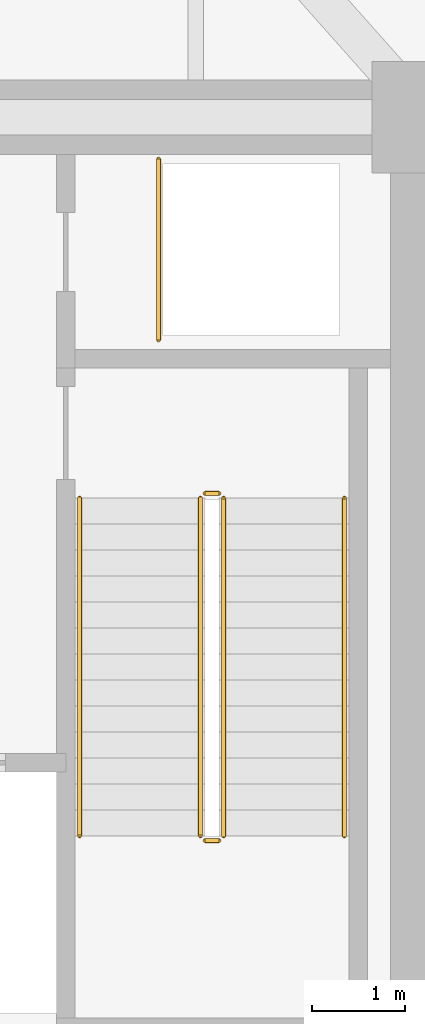
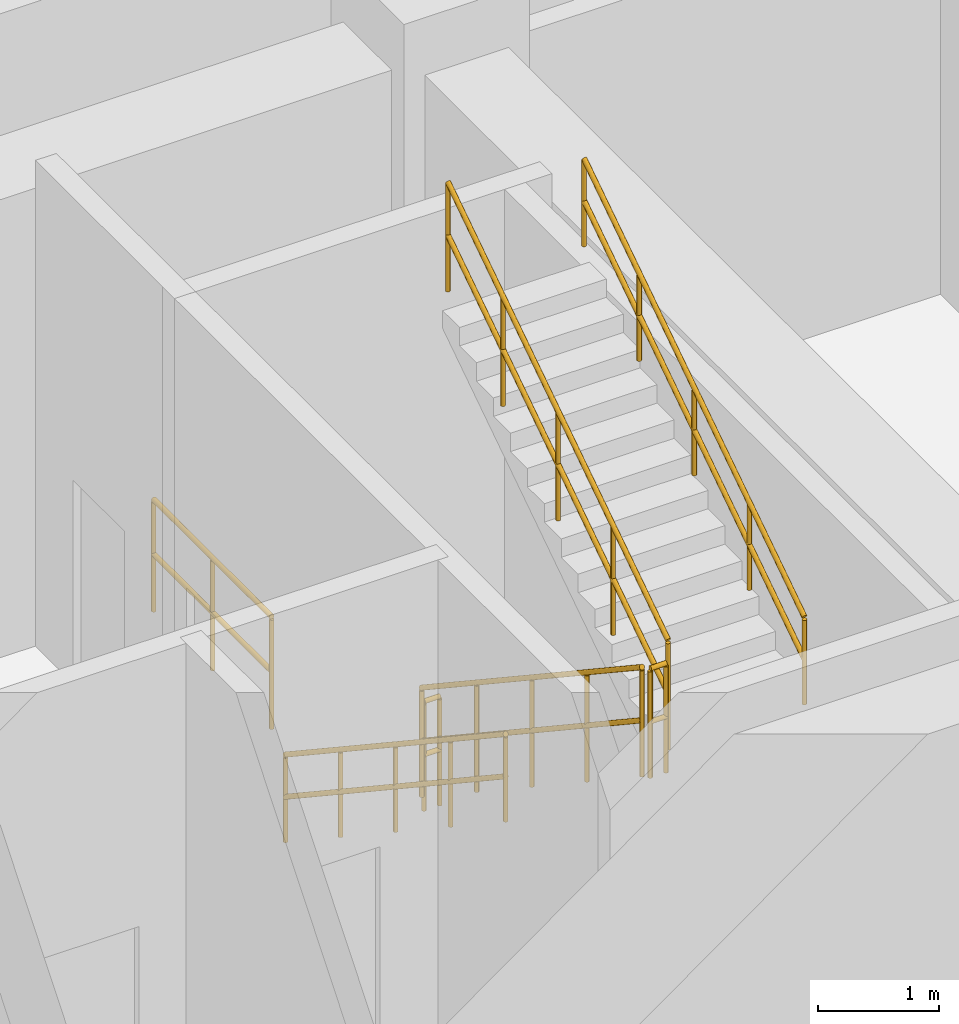
# One storey, part 8 of 9: 7 railings.
"""IFC4 building model written with IfcOpenShell, lengths in metres."""

import ifcopenshell
import ifcopenshell.guid

model = None  # the IFC model being written
_history = None  # IfcOwnerHistory: only IFC2X3 demands one
_inside = {}  # id of a spatial element -> (the spatial element, [elements in it])
_under = {}  # id of a project, library or spatial element -> (it, [spatial elements below it])
_declared = {}  # id of a project -> (the project, [libraries it declares])
_typed = {}  # id of a type object -> (the type object, [elements of that type])
_made_of = {}  # id of a material, layer set ... -> (it, [elements and type objects made of it])


def new_model(schema):
    """Start an empty IFC model of exactly this schema.

    Asked for "IFC4X3", IfcOpenShell would pick the latest addendum, in which some entities
    have other attributes; the version numbers below select the first issue.
    IFC2X3 requires an IfcOwnerHistory on every rooted entity: one is made here for all.
    """
    global model, _history
    if schema == "IFC4X3":
        model = ifcopenshell.file(schema_version=(4, 3, 0, 0))
    else:
        model = ifcopenshell.file(schema=schema)
    _inside.clear()
    _under.clear()
    _declared.clear()
    _typed.clear()
    _made_of.clear()
    _history = None
    if model.schema == "IFC2X3":
        org = make("IfcOrganization", Name="unknown")
        user = make(
            "IfcPersonAndOrganization",
            ThePerson=make("IfcPerson", FamilyName="unknown"),
            TheOrganization=org,
        )
        app = make(
            "IfcApplication",
            ApplicationDeveloper=org,
            Version="unknown",
            ApplicationFullName="unknown",
            ApplicationIdentifier="unknown",
        )
        _history = make(
            "IfcOwnerHistory",
            OwningUser=user,
            OwningApplication=app,
            ChangeAction="ADDED",
            CreationDate=0,
        )
    return model


def make(cls, **values):
    """One entity of the class cls with the attributes given. An attribute that is None is left unset."""
    return model.create_entity(
        cls, **{name: value for name, value in values.items() if value is not None}
    )


def rooted(cls, **values):
    """An entity with a GlobalId (a new one), such as an element, a storey or a relation."""
    return make(cls, GlobalId=ifcopenshell.guid.new(), OwnerHistory=_history, **values)


def si_unit(unit_type, name, prefix=None):
    """IfcSIUnit, for example si_unit("LENGTHUNIT", "METRE", prefix="MILLI")."""
    return make("IfcSIUnit", UnitType=unit_type, Prefix=prefix, Name=name)


def assignment(units):
    """IfcUnitAssignment: the units of a project."""
    return None if units is None else make("IfcUnitAssignment", Units=units)


def point(xyz):
    """IfcCartesianPoint."""
    return None if xyz is None else make("IfcCartesianPoint", Coordinates=xyz)


def direction(xyz):
    """IfcDirection."""
    return None if xyz is None else make("IfcDirection", DirectionRatios=xyz)


def frame(location, z_axis=None, x_axis=None):
    """IfcAxis2Placement3D, a coordinate frame: its origin and axes. An axis left out is left unset."""
    return make(
        "IfcAxis2Placement3D",
        Location=point(location),
        Axis=direction(z_axis),
        RefDirection=direction(x_axis),
    )


def frame_2d(location, x_axis=None):
    """IfcAxis2Placement2D, a coordinate frame in the plane: its origin and x axis."""
    return make(
        "IfcAxis2Placement2D", Location=point(location), RefDirection=direction(x_axis)
    )


def origin():
    """The frame at (0, 0, 0) with its axes left unset."""
    return frame((0.0, 0.0, 0.0))


def origin_2d():
    """The frame at (0, 0) in the plane with its x axis left unset."""
    return frame_2d((0.0, 0.0))


def place(relative_to, where):
    """IfcLocalPlacement: puts the frame where relative to a parent placement (None: the world)."""
    return make(
        "IfcLocalPlacement", PlacementRelTo=relative_to, RelativePlacement=where
    )


def context(
    kind, dimensions, precision=None, world=None, true_north=None, identifier=None
):
    """IfcGeometricRepresentationContext, for example the 3D "Model" context."""
    return make(
        "IfcGeometricRepresentationContext",
        ContextIdentifier=identifier,
        ContextType=kind,
        CoordinateSpaceDimension=dimensions,
        Precision=precision,
        WorldCoordinateSystem=world,
        TrueNorth=true_north,
    )


def subcontext(parent, identifier, kind, view, scale=None):
    """IfcGeometricRepresentationSubContext, for example "Body" below "Model"."""
    return make(
        "IfcGeometricRepresentationSubContext",
        ContextIdentifier=identifier,
        ContextType=kind,
        ParentContext=parent,
        TargetScale=scale,
        TargetView=view,
    )


def project(units=None, contexts=None):
    """IfcProject with its units and contexts."""
    return rooted(
        "IfcProject",
        Name="project",
        RepresentationContexts=contexts,
        UnitsInContext=assignment(units),
    )


def spatial(cls, under=None, at=None, **own):
    """A site, building, storey or space (cls), placed at a placement, below another one or the project."""
    s = rooted(cls, ObjectPlacement=at, **own)
    if under is not None:
        _under.setdefault(under.id(), (under, []))[1].append(s)
    return s


def profile(cls, at=None, kind="AREA", **sizes):
    """A parametric profile (cls). Its sizes go by their IFC names, for example OverallWidth=200.0."""
    return make(cls, ProfileType=kind, Position=at, **sizes)


def circle(**sizes):
    """IfcCircleProfileDef."""
    return profile("IfcCircleProfileDef", **sizes)


def extrude(swept, where, along, depth):
    """IfcExtrudedAreaSolid: the profile swept, set in the frame where, extruded along a direction by depth."""
    return make(
        "IfcExtrudedAreaSolid",
        SweptArea=swept,
        Position=where,
        ExtrudedDirection=direction(along),
        Depth=depth,
    )


def shape(context_of_items, identifier, shape_type, items):
    """IfcShapeRepresentation: the items that make up one representation, for example the "Body"."""
    return make(
        "IfcShapeRepresentation",
        ContextOfItems=context_of_items,
        RepresentationIdentifier=identifier,
        RepresentationType=shape_type,
        Items=items,
    )


def material(Name=None, Category=None):
    """IfcMaterial."""
    return make("IfcMaterial", Name=Name, Category=Category)


def layer(
    of_material, thickness, ventilated=None, Name=None, Category=None, Priority=None
):
    """IfcMaterialLayer: one layer of a wall or slab, of a material (None: an air gap)."""
    return make(
        "IfcMaterialLayer",
        Material=of_material,
        LayerThickness=thickness,
        IsVentilated=ventilated,
        Name=Name,
        Category=Category,
        Priority=Priority,
    )


def layer_set(layers, Name=None):
    """IfcMaterialLayerSet."""
    return make("IfcMaterialLayerSet", MaterialLayers=layers, LayerSetName=Name)


def made_of(thing, what):
    """Note that an element or type object is made of a material, layer set ...; save() writes the relation."""
    if what is not None:
        _made_of.setdefault(what.id(), (what, []))[1].append(thing)
    return thing


def type_object(cls, material=None, **own):
    """A type object (cls), such as IfcWallType, which elements share."""
    return made_of(rooted(cls, **own), material)


def element(
    cls,
    number,
    at=None,
    inside=None,
    cuts=None,
    type_object=None,
    material=None,
    context=None,
    identifier="Body",
    shape_type=None,
    held_by="IfcProductDefinitionShape",
    body=None,
    shapes=None,
    **own,
):
    """One element of the class cls, such as IfcWall. Its Tag is "e" and its number.

    at: its placement. inside: the storey or other place that contains it. cuts: it is an
    opening in that element (IfcRelVoidsElement). A single representation is given by context,
    identifier, shape_type and body (its items); several are given by shapes. held_by: the class
    of the entity that holds the representations. save() writes the other relations.
    """
    e = rooted(cls, Tag="e%d" % number, ObjectPlacement=at, **own)
    if body is not None:
        shapes = [shape(context, identifier, shape_type, body)]
    if shapes is not None:
        e.Representation = make(held_by, Representations=shapes)
    if inside is not None:
        _inside.setdefault(inside.id(), (inside, []))[1].append(e)
    if cuts is not None:
        rooted(
            "IfcRelVoidsElement", RelatingBuildingElement=cuts, RelatedOpeningElement=e
        )
    if type_object is not None:
        _typed.setdefault(type_object.id(), (type_object, []))[1].append(e)
    return made_of(e, material)


def aggregate(whole, parts):
    """IfcRelAggregates: a whole, such as a stair, and the parts it consists of."""
    return rooted("IfcRelAggregates", RelatingObject=whole, RelatedObjects=parts)


def save(model, path):
    """Write the relations noted so far, then the file.

    IfcRelAggregates (storeys below a building ...), IfcRelContainedInSpatialStructure (elements
    in a storey), IfcRelDefinesByType, IfcRelAssociatesMaterial and IfcRelDeclares: one each for
    every whole, place, type object, material and project.
    """
    for whole, parts in _under.values():
        aggregate(whole, parts)
    for where, things in _inside.values():
        rooted(
            "IfcRelContainedInSpatialStructure",
            RelatedElements=things,
            RelatingStructure=where,
        )
    for kind, things in _typed.values():
        rooted("IfcRelDefinesByType", RelatedObjects=things, RelatingType=kind)
    for what, things in _made_of.values():
        rooted("IfcRelAssociatesMaterial", RelatedObjects=things, RelatingMaterial=what)
    for by, libraries in _declared.values():
        rooted("IfcRelDeclares", RelatingContext=by, RelatedDefinitions=libraries)
    model.write(path)


model = new_model("IFC4")

# Units and contexts
model_context = context("Model", 3, precision=1e-05, world=origin(), true_north=direction((0.0, 1.0)))
body_context = subcontext(model_context, "Body", "Model", "MODEL_VIEW")
ifc_project = project(units=[si_unit("LENGTHUNIT", "METRE"), si_unit("AREAUNIT", "SQUARE_METRE"), si_unit("VOLUMEUNIT", "CUBIC_METRE"), si_unit("PLANEANGLEUNIT", "RADIAN"), si_unit("MASSUNIT", "GRAM", prefix="KILO")], contexts=[model_context])

# Site, building, storey
site_placement = place(None, origin())
site = spatial("IfcSite", under=ifc_project, at=site_placement, CompositionType="ELEMENT")
building_placement = place(site_placement, origin())
building = spatial("IfcBuilding", under=site, at=building_placement, Name="Solmavex Isthmus Hotel", CompositionType="ELEMENT")
storey_placement = place(building_placement, frame((0.0, 0.0, -5.199951171875)))
storey = spatial("IfcBuildingStorey", under=building, at=storey_placement, Name="B01", CompositionType="ELEMENT", Elevation=-5.199951171875)

# Railings
ifc_material_1 = material(Name="Clear low-E laminated glass", Category="glass")
ifc_layer_1 = layer(ifc_material_1, 0.080078125)
ifc_layer_set_1 = layer_set([ifc_layer_1], Name="Clear low-E laminated glass")
railing_type_1 = type_object("IfcRailingType", Name="RAIL-ATRIUM-1120", PredefinedType="BALUSTRADE", material=ifc_layer_set_1)
railing_1_placement = place(storey_placement, frame((13.10009765625, -4.89990234375, 0.0)))
element("IfcRailing", 1, at=railing_1_placement, inside=storey, type_object=railing_type_1, Name="Guardrail Balustrade B01-RSE-01", PredefinedType="BALUSTRADE", context=body_context, shape_type="SweptSolid", body=[
    extrude(circle(Radius=0.02392578125, at=origin_2d()), frame((0.0, 0.0, 1.1259765625), z_axis=(0.0, 1.0, 0.0), x_axis=(-1.0, 0.0, 0.0)), (0.0, 0.0, 1.0), 1.949951171875),
    extrude(circle(Radius=0.02392578125, at=origin_2d()), frame((0.0, 0.0, 0.574951171875), z_axis=(0.0, 1.0, 0.0), x_axis=(-1.0, 0.0, 0.0)), (0.0, 0.0, 1.0), 1.949951171875),
    extrude(circle(Radius=0.02099609375, at=origin_2d()), origin(), (0.0, 0.0, 1.0), 1.101806640625),
    extrude(circle(Radius=0.02099609375, at=origin_2d()), frame((0.0, 0.97509765625, 0.0)), (0.0, 0.0, 1.0), 1.101806640625),
    extrude(circle(Radius=0.02099609375, at=origin_2d()), frame((0.0, 1.949951171875, 0.0)), (0.0, 0.0, 1.0), 1.101806640625),
])
ifc_material_2 = material(Name="Stainless steel 316", Category="steel")
ifc_layer_2 = layer(ifc_material_2, 0.06005859375)
ifc_layer_set_2 = layer_set([ifc_layer_2], Name="Stainless steel 316")
railing_type_2 = type_object("IfcRailingType", Name="RAIL-STAIR-GD", PredefinedType="GUARDRAIL", material=ifc_layer_set_2)
railing_2_placement = place(storey_placement, frame((13.550048828125, -6.60009765625, 0.185546875)))
element("IfcRailing", 2, at=railing_2_placement, inside=storey, type_object=railing_type_2, Name="B01 ST-2 stair guard 1", PredefinedType="GUARDRAIL", context=body_context, shape_type="SweptSolid", body=[
    extrude(circle(Radius=0.02392578125, at=origin_2d()), frame((0.0, 0.0, 1.09619140625), z_axis=(0.0, -0.833346510843, 0.552750932036), x_axis=(1.0, 0.0, 0.0)), (0.0, 0.0, 1.0), 4.367919921875),
    extrude(circle(Radius=0.02392578125, at=origin_2d()), frame((0.0, 0.0, 0.56005859375), z_axis=(0.0, -0.833346510843, 0.552750932036), x_axis=(1.0, 0.0, 0.0)), (0.0, 0.0, 1.0), 4.367919921875),
    extrude(circle(Radius=0.02099609375, at=origin_2d()), origin(), (0.0, 0.0, 1.0), 1.072021484375),
    extrude(circle(Radius=0.02099609375, at=origin_2d()), frame((0.0, -0.909912109375, 0.603515625)), (0.0, 0.0, 1.0), 1.072021484375),
    extrude(circle(Radius=0.02099609375, at=origin_2d()), frame((0.0, -1.81982421875, 1.20703125)), (0.0, 0.0, 1.0), 1.072021484375),
    extrude(circle(Radius=0.02099609375, at=origin_2d()), frame((0.0, -2.72998046875, 1.810791015625)), (0.0, 0.0, 1.0), 1.072021484375),
    extrude(circle(Radius=0.02099609375, at=origin_2d()), frame((0.0, -3.639892578125, 2.414306640625)), (0.0, 0.0, 1.0), 1.072021484375),
])
railing_3_placement = place(storey_placement, frame((13.60009765625, -10.2900390625, 2.599853515625)))
element("IfcRailing", 3, at=railing_3_placement, inside=storey, type_object=railing_type_2, Name="B01 ST-2 stair guard 2", PredefinedType="GUARDRAIL", context=body_context, shape_type="SweptSolid", body=[
    extrude(circle(Radius=0.02392578125, at=origin_2d()), frame((0.0, 0.0, 1.09619140625), z_axis=(1.0, 0.0, 0.0), x_axis=(0.0, 1.0, 0.0)), (0.0, 0.0, 1.0), 0.14990234375),
    extrude(circle(Radius=0.02392578125, at=origin_2d()), frame((0.0, 0.0, 0.56005859375), z_axis=(1.0, 0.0, 0.0), x_axis=(0.0, 1.0, 0.0)), (0.0, 0.0, 1.0), 0.14990234375),
    extrude(circle(Radius=0.02099609375, at=origin_2d()), origin(), (0.0, 0.0, 1.0), 1.072021484375),
    extrude(circle(Radius=0.02099609375, at=origin_2d()), frame((0.14990234375, 0.0, 0.0)), (0.0, 0.0, 1.0), 1.072021484375),
])
railing_4_placement = place(storey_placement, frame((13.800048828125, -10.239990234375, 2.78564453125)))
element("IfcRailing", 4, at=railing_4_placement, inside=storey, type_object=railing_type_2, Name="B01 ST-2 stair guard 3", PredefinedType="GUARDRAIL", context=body_context, shape_type="SweptSolid", body=[
    extrude(circle(Radius=0.02392578125, at=origin_2d()), frame((0.0, 0.0, 1.09619140625), z_axis=(0.0, 0.833346510843, 0.552750932036), x_axis=(-1.0, 0.0, 0.0)), (0.0, 0.0, 1.0), 4.367919921875),
    extrude(circle(Radius=0.02392578125, at=origin_2d()), frame((0.0, 0.0, 0.56005859375), z_axis=(0.0, 0.833346510843, 0.552750932036), x_axis=(-1.0, 0.0, 0.0)), (0.0, 0.0, 1.0), 4.367919921875),
    extrude(circle(Radius=0.02099609375, at=origin_2d()), origin(), (0.0, 0.0, 1.0), 1.072021484375),
    extrude(circle(Radius=0.02099609375, at=origin_2d()), frame((0.0, 0.909912109375, 0.603515625)), (0.0, 0.0, 1.0), 1.072021484375),
    extrude(circle(Radius=0.02099609375, at=origin_2d()), frame((0.0, 1.81982421875, 1.20703125)), (0.0, 0.0, 1.0), 1.072021484375),
    extrude(circle(Radius=0.02099609375, at=origin_2d()), frame((0.0, 2.72998046875, 1.810791015625)), (0.0, 0.0, 1.0), 1.072021484375),
    extrude(circle(Radius=0.02099609375, at=origin_2d()), frame((0.0, 3.639892578125, 2.414306640625)), (0.0, 0.0, 1.0), 1.072021484375),
])
railing_5_placement = place(storey_placement, frame((13.60009765625, -6.550048828125, 0.0)))
element("IfcRailing", 5, at=railing_5_placement, inside=storey, type_object=railing_type_2, Name="B01 ST-2 stair guard 4", PredefinedType="GUARDRAIL", context=body_context, shape_type="SweptSolid", body=[
    extrude(circle(Radius=0.02392578125, at=origin_2d()), frame((0.0, 0.0, 1.09619140625), z_axis=(1.0, 0.0, 0.0), x_axis=(0.0, 1.0, 0.0)), (0.0, 0.0, 1.0), 0.14990234375),
    extrude(circle(Radius=0.02392578125, at=origin_2d()), frame((0.0, 0.0, 0.56005859375), z_axis=(1.0, 0.0, 0.0), x_axis=(0.0, 1.0, 0.0)), (0.0, 0.0, 1.0), 0.14990234375),
    extrude(circle(Radius=0.02099609375, at=origin_2d()), origin(), (0.0, 0.0, 1.0), 1.072021484375),
    extrude(circle(Radius=0.02099609375, at=origin_2d()), frame((0.14990234375, 0.0, 0.0)), (0.0, 0.0, 1.0), 1.072021484375),
])
ifc_layer_3 = layer(ifc_material_2, 0.050048828125)
ifc_layer_set_3 = layer_set([ifc_layer_3], Name="Stainless steel 316")
railing_type_3 = type_object("IfcRailingType", Name="RAIL-STAIR-HR", PredefinedType="HANDRAIL", material=ifc_layer_set_3)
railing_6_placement = place(storey_placement, frame((12.25, -6.60009765625, 0.185546875)))
element("IfcRailing", 6, at=railing_6_placement, inside=storey, type_object=railing_type_3, Name="B01 ST-2 stair handrail 1", PredefinedType="HANDRAIL", context=body_context, shape_type="SweptSolid", body=[
    extrude(circle(Radius=0.02392578125, at=origin_2d()), frame((0.0, 0.0, 0.8759765625), z_axis=(0.0, -0.833346510843, 0.552750932036), x_axis=(1.0, 0.0, 0.0)), (0.0, 0.0, 1.0), 4.367919921875),
    extrude(circle(Radius=0.02392578125, at=origin_2d()), frame((0.0, 0.0, 0.449951171875), z_axis=(0.0, -0.833346510843, 0.552750932036), x_axis=(1.0, 0.0, 0.0)), (0.0, 0.0, 1.0), 4.367919921875),
    extrude(circle(Radius=0.02099609375, at=origin_2d()), origin(), (0.0, 0.0, 1.0), 0.851806640625),
    extrude(circle(Radius=0.02099609375, at=origin_2d()), frame((0.0, -0.909912109375, 0.603515625)), (0.0, 0.0, 1.0), 0.851806640625),
    extrude(circle(Radius=0.02099609375, at=origin_2d()), frame((0.0, -1.81982421875, 1.20703125)), (0.0, 0.0, 1.0), 0.851806640625),
    extrude(circle(Radius=0.02099609375, at=origin_2d()), frame((0.0, -2.72998046875, 1.810791015625)), (0.0, 0.0, 1.0), 0.851806640625),
    extrude(circle(Radius=0.02099609375, at=origin_2d()), frame((0.0, -3.639892578125, 2.414306640625)), (0.0, 0.0, 1.0), 0.851806640625),
])
railing_7_placement = place(storey_placement, frame((15.10009765625, -10.239990234375, 2.78564453125)))
element("IfcRailing", 7, at=railing_7_placement, inside=storey, type_object=railing_type_3, Name="B01 ST-2 stair handrail 2", PredefinedType="HANDRAIL", context=body_context, shape_type="SweptSolid", body=[
    extrude(circle(Radius=0.02392578125, at=origin_2d()), frame((0.0, 0.0, 0.8759765625), z_axis=(0.0, 0.833346510843, 0.552750932036), x_axis=(-1.0, 0.0, 0.0)), (0.0, 0.0, 1.0), 4.367919921875),
    extrude(circle(Radius=0.02392578125, at=origin_2d()), frame((0.0, 0.0, 0.449951171875), z_axis=(0.0, 0.833346510843, 0.552750932036), x_axis=(-1.0, 0.0, 0.0)), (0.0, 0.0, 1.0), 4.367919921875),
    extrude(circle(Radius=0.02099609375, at=origin_2d()), origin(), (0.0, 0.0, 1.0), 0.851806640625),
    extrude(circle(Radius=0.02099609375, at=origin_2d()), frame((0.0, 0.909912109375, 0.603515625)), (0.0, 0.0, 1.0), 0.851806640625),
    extrude(circle(Radius=0.02099609375, at=origin_2d()), frame((0.0, 1.81982421875, 1.20703125)), (0.0, 0.0, 1.0), 0.851806640625),
    extrude(circle(Radius=0.02099609375, at=origin_2d()), frame((0.0, 2.72998046875, 1.810791015625)), (0.0, 0.0, 1.0), 0.851806640625),
    extrude(circle(Radius=0.02099609375, at=origin_2d()), frame((0.0, 3.639892578125, 2.414306640625)), (0.0, 0.0, 1.0), 0.851806640625),
])

save(model, "model.ifc")
